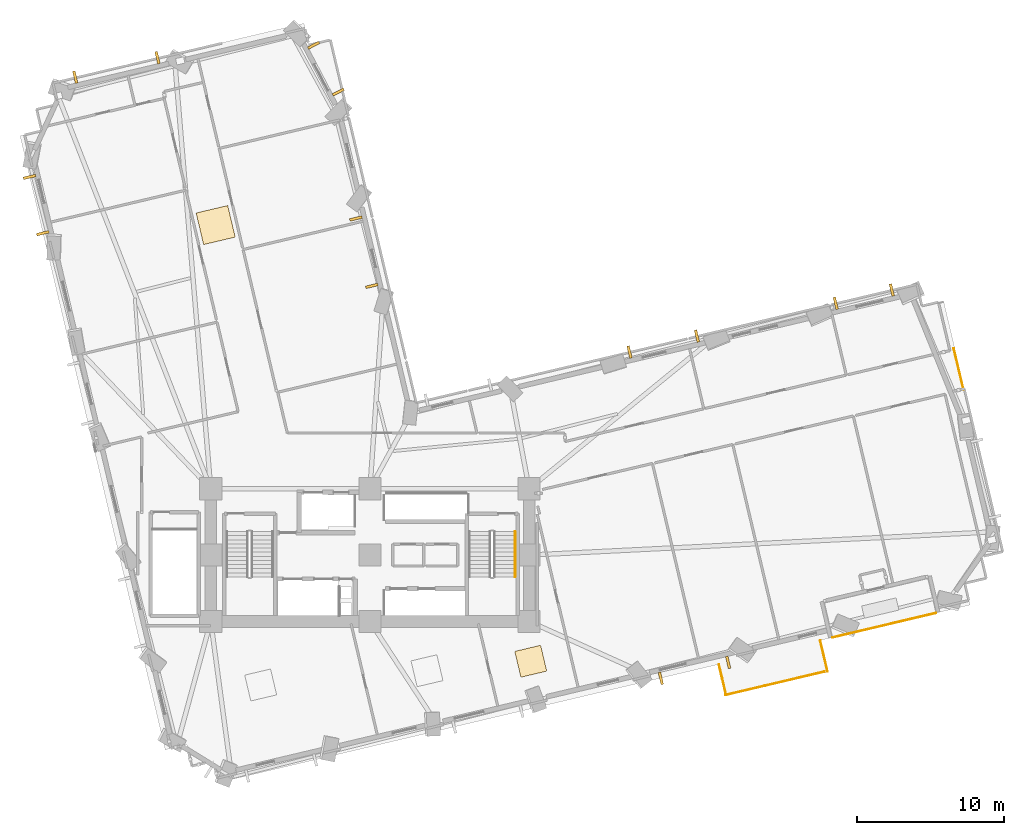
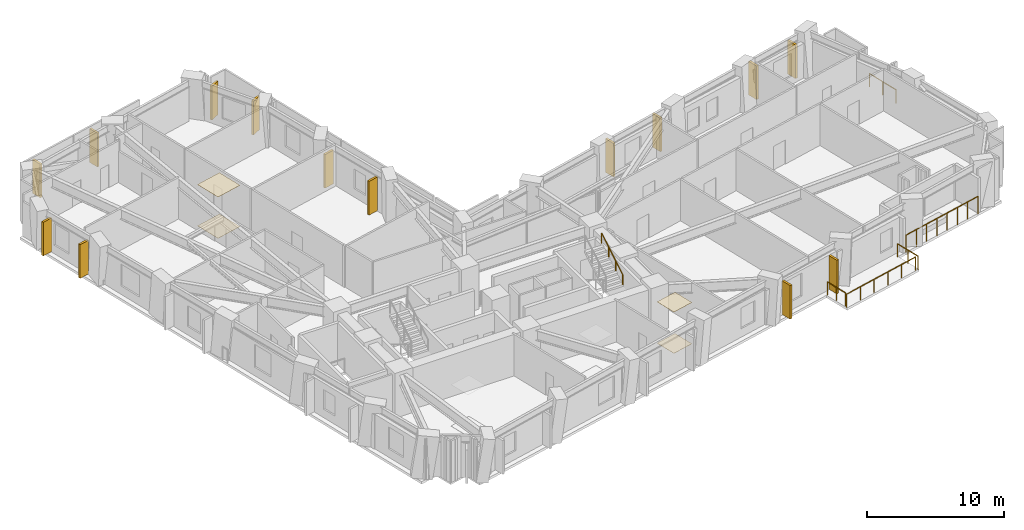
# One storey, part 13 of 14: 14 shading devices, 6 railings, 4 coverings.
"""IFC4 building model written with IfcOpenShell, lengths in metres."""

import ifcopenshell
import ifcopenshell.guid

model = None  # the IFC model being written
_history = None  # IfcOwnerHistory: only IFC2X3 demands one
_inside = {}  # id of a spatial element -> (the spatial element, [elements in it])
_under = {}  # id of a project, library or spatial element -> (it, [spatial elements below it])
_declared = {}  # id of a project -> (the project, [libraries it declares])
_typed = {}  # id of a type object -> (the type object, [elements of that type])
_made_of = {}  # id of a material, layer set ... -> (it, [elements and type objects made of it])


def new_model(schema):
    """Start an empty IFC model of exactly this schema.

    Asked for "IFC4X3", IfcOpenShell would pick the latest addendum, in which some entities
    have other attributes; the version numbers below select the first issue.
    IFC2X3 requires an IfcOwnerHistory on every rooted entity: one is made here for all.
    """
    global model, _history
    if schema == "IFC4X3":
        model = ifcopenshell.file(schema_version=(4, 3, 0, 0))
    else:
        model = ifcopenshell.file(schema=schema)
    _inside.clear()
    _under.clear()
    _declared.clear()
    _typed.clear()
    _made_of.clear()
    _history = None
    if model.schema == "IFC2X3":
        org = make("IfcOrganization", Name="unknown")
        user = make(
            "IfcPersonAndOrganization",
            ThePerson=make("IfcPerson", FamilyName="unknown"),
            TheOrganization=org,
        )
        app = make(
            "IfcApplication",
            ApplicationDeveloper=org,
            Version="unknown",
            ApplicationFullName="unknown",
            ApplicationIdentifier="unknown",
        )
        _history = make(
            "IfcOwnerHistory",
            OwningUser=user,
            OwningApplication=app,
            ChangeAction="ADDED",
            CreationDate=0,
        )
    return model


def make(cls, **values):
    """One entity of the class cls with the attributes given. An attribute that is None is left unset."""
    return model.create_entity(
        cls, **{name: value for name, value in values.items() if value is not None}
    )


def rooted(cls, **values):
    """An entity with a GlobalId (a new one), such as an element, a storey or a relation."""
    return make(cls, GlobalId=ifcopenshell.guid.new(), OwnerHistory=_history, **values)


def si_unit(unit_type, name, prefix=None):
    """IfcSIUnit, for example si_unit("LENGTHUNIT", "METRE", prefix="MILLI")."""
    return make("IfcSIUnit", UnitType=unit_type, Prefix=prefix, Name=name)


def assignment(units):
    """IfcUnitAssignment: the units of a project."""
    return None if units is None else make("IfcUnitAssignment", Units=units)


def point(xyz):
    """IfcCartesianPoint."""
    return None if xyz is None else make("IfcCartesianPoint", Coordinates=xyz)


def direction(xyz):
    """IfcDirection."""
    return None if xyz is None else make("IfcDirection", DirectionRatios=xyz)


def frame(location, z_axis=None, x_axis=None):
    """IfcAxis2Placement3D, a coordinate frame: its origin and axes. An axis left out is left unset."""
    return make(
        "IfcAxis2Placement3D",
        Location=point(location),
        Axis=direction(z_axis),
        RefDirection=direction(x_axis),
    )


def frame_2d(location, x_axis=None):
    """IfcAxis2Placement2D, a coordinate frame in the plane: its origin and x axis."""
    return make(
        "IfcAxis2Placement2D", Location=point(location), RefDirection=direction(x_axis)
    )


def origin():
    """The frame at (0, 0, 0) with its axes left unset."""
    return frame((0.0, 0.0, 0.0))


def origin_2d():
    """The frame at (0, 0) in the plane with its x axis left unset."""
    return frame_2d((0.0, 0.0))


def place(relative_to, where):
    """IfcLocalPlacement: puts the frame where relative to a parent placement (None: the world)."""
    return make(
        "IfcLocalPlacement", PlacementRelTo=relative_to, RelativePlacement=where
    )


def context(
    kind, dimensions, precision=None, world=None, true_north=None, identifier=None
):
    """IfcGeometricRepresentationContext, for example the 3D "Model" context."""
    return make(
        "IfcGeometricRepresentationContext",
        ContextIdentifier=identifier,
        ContextType=kind,
        CoordinateSpaceDimension=dimensions,
        Precision=precision,
        WorldCoordinateSystem=world,
        TrueNorth=true_north,
    )


def subcontext(parent, identifier, kind, view, scale=None):
    """IfcGeometricRepresentationSubContext, for example "Body" below "Model"."""
    return make(
        "IfcGeometricRepresentationSubContext",
        ContextIdentifier=identifier,
        ContextType=kind,
        ParentContext=parent,
        TargetScale=scale,
        TargetView=view,
    )


def project(units=None, contexts=None):
    """IfcProject with its units and contexts."""
    return rooted(
        "IfcProject",
        Name="project",
        RepresentationContexts=contexts,
        UnitsInContext=assignment(units),
    )


def spatial(cls, under=None, at=None, **own):
    """A site, building, storey or space (cls), placed at a placement, below another one or the project."""
    s = rooted(cls, ObjectPlacement=at, **own)
    if under is not None:
        _under.setdefault(under.id(), (under, []))[1].append(s)
    return s


def profile(cls, at=None, kind="AREA", **sizes):
    """A parametric profile (cls). Its sizes go by their IFC names, for example OverallWidth=200.0."""
    return make(cls, ProfileType=kind, Position=at, **sizes)


def rectangle(**sizes):
    """IfcRectangleProfileDef."""
    return profile("IfcRectangleProfileDef", **sizes)


def circle(**sizes):
    """IfcCircleProfileDef."""
    return profile("IfcCircleProfileDef", **sizes)


def extrude(swept, where, along, depth):
    """IfcExtrudedAreaSolid: the profile swept, set in the frame where, extruded along a direction by depth."""
    return make(
        "IfcExtrudedAreaSolid",
        SweptArea=swept,
        Position=where,
        ExtrudedDirection=direction(along),
        Depth=depth,
    )


def shape(context_of_items, identifier, shape_type, items):
    """IfcShapeRepresentation: the items that make up one representation, for example the "Body"."""
    return make(
        "IfcShapeRepresentation",
        ContextOfItems=context_of_items,
        RepresentationIdentifier=identifier,
        RepresentationType=shape_type,
        Items=items,
    )


def material(Name=None, Category=None):
    """IfcMaterial."""
    return make("IfcMaterial", Name=Name, Category=Category)


def layer(
    of_material, thickness, ventilated=None, Name=None, Category=None, Priority=None
):
    """IfcMaterialLayer: one layer of a wall or slab, of a material (None: an air gap)."""
    return make(
        "IfcMaterialLayer",
        Material=of_material,
        LayerThickness=thickness,
        IsVentilated=ventilated,
        Name=Name,
        Category=Category,
        Priority=Priority,
    )


def layer_set(layers, Name=None):
    """IfcMaterialLayerSet."""
    return make("IfcMaterialLayerSet", MaterialLayers=layers, LayerSetName=Name)


def made_of(thing, what):
    """Note that an element or type object is made of a material, layer set ...; save() writes the relation."""
    if what is not None:
        _made_of.setdefault(what.id(), (what, []))[1].append(thing)
    return thing


def type_object(cls, material=None, **own):
    """A type object (cls), such as IfcWallType, which elements share."""
    return made_of(rooted(cls, **own), material)


def element(
    cls,
    number,
    at=None,
    inside=None,
    cuts=None,
    type_object=None,
    material=None,
    context=None,
    identifier="Body",
    shape_type=None,
    held_by="IfcProductDefinitionShape",
    body=None,
    shapes=None,
    **own,
):
    """One element of the class cls, such as IfcWall. Its Tag is "e" and its number.

    at: its placement. inside: the storey or other place that contains it. cuts: it is an
    opening in that element (IfcRelVoidsElement). A single representation is given by context,
    identifier, shape_type and body (its items); several are given by shapes. held_by: the class
    of the entity that holds the representations. save() writes the other relations.
    """
    e = rooted(cls, Tag="e%d" % number, ObjectPlacement=at, **own)
    if body is not None:
        shapes = [shape(context, identifier, shape_type, body)]
    if shapes is not None:
        e.Representation = make(held_by, Representations=shapes)
    if inside is not None:
        _inside.setdefault(inside.id(), (inside, []))[1].append(e)
    if cuts is not None:
        rooted(
            "IfcRelVoidsElement", RelatingBuildingElement=cuts, RelatedOpeningElement=e
        )
    if type_object is not None:
        _typed.setdefault(type_object.id(), (type_object, []))[1].append(e)
    return made_of(e, material)


def aggregate(whole, parts):
    """IfcRelAggregates: a whole, such as a stair, and the parts it consists of."""
    return rooted("IfcRelAggregates", RelatingObject=whole, RelatedObjects=parts)


def save(model, path):
    """Write the relations noted so far, then the file.

    IfcRelAggregates (storeys below a building ...), IfcRelContainedInSpatialStructure (elements
    in a storey), IfcRelDefinesByType, IfcRelAssociatesMaterial and IfcRelDeclares: one each for
    every whole, place, type object, material and project.
    """
    for whole, parts in _under.values():
        aggregate(whole, parts)
    for where, things in _inside.values():
        rooted(
            "IfcRelContainedInSpatialStructure",
            RelatedElements=things,
            RelatingStructure=where,
        )
    for kind, things in _typed.values():
        rooted("IfcRelDefinesByType", RelatedObjects=things, RelatingType=kind)
    for what, things in _made_of.values():
        rooted("IfcRelAssociatesMaterial", RelatedObjects=things, RelatingMaterial=what)
    for by, libraries in _declared.values():
        rooted("IfcRelDeclares", RelatingContext=by, RelatedDefinitions=libraries)
    model.write(path)


model = new_model("IFC4")

# Units and contexts
model_context = context("Model", 3, precision=1e-05, world=origin(), true_north=direction((0.0, 1.0)))
body_context = subcontext(model_context, "Body", "Model", "MODEL_VIEW")
ifc_project = project(units=[si_unit("LENGTHUNIT", "METRE"), si_unit("AREAUNIT", "SQUARE_METRE"), si_unit("VOLUMEUNIT", "CUBIC_METRE"), si_unit("PLANEANGLEUNIT", "RADIAN"), si_unit("MASSUNIT", "GRAM", prefix="KILO")], contexts=[model_context])

# Site, building, storey
site_placement = place(None, origin())
site = spatial("IfcSite", under=ifc_project, at=site_placement, CompositionType="ELEMENT")
building_placement = place(site_placement, origin())
building = spatial("IfcBuilding", under=site, at=building_placement, Name="Gaonmaruhae Medical Tower", CompositionType="ELEMENT")
storey_placement = place(building_placement, frame((0.0, 0.0, 79.0)))
storey = spatial("IfcBuildingStorey", under=building, at=storey_placement, Name="L18", CompositionType="ELEMENT", Elevation=79.0)

# Coverings
ifc_material_1 = material(Name="Acoustic mineral ceiling tile", Category="finish")
ifc_layer_1 = layer(ifc_material_1, 0.02490234375)
ifc_layer_set_1 = layer_set([ifc_layer_1], Name="Acoustic mineral ceiling tile")
covering_type_1 = type_object("IfcCoveringType", Name="CLG-01 Antimicrobial Acoustic Mineral Ceiling", PredefinedType="CEILING", material=ifc_layer_set_1)
covering_1_placement = place(storey_placement, frame((14.333251953125, 34.68896484375, 3.675048828125), z_axis=(0.0, 0.0, 1.0), x_axis=(0.973178872777, 0.230049737188, 0.0)))
element("IfcCovering", 1, at=covering_1_placement, inside=storey, type_object=covering_type_1, Name="L18 Clinical Corridor Acoustic Ceiling", PredefinedType="CEILING", context=body_context, shape_type="SweptSolid", body=[
    extrude(rectangle(XDim=2.199951171875, YDim=2.199951171875, at=origin_2d()), origin(), (0.0, 0.0, 1.0), 0.02490234375),
])
covering_2_placement = place(storey_placement, frame((35.708984375, 5.097900390625, 3.675048828125), z_axis=(0.0, 0.0, 1.0), x_axis=(0.973178872777, 0.230049737188, 0.0)))
element("IfcCovering", 2, at=covering_2_placement, inside=storey, type_object=covering_type_1, Name="L18 Clinical Room Acoustic Ceiling 4", PredefinedType="CEILING", context=body_context, shape_type="SweptSolid", body=[
    extrude(rectangle(XDim=1.800048828125, YDim=1.800048828125, at=origin_2d()), origin(), (0.0, 0.0, 1.0), 0.02490234375),
])
ifc_material_2 = material(Name="Seamless clinical vinyl flooring", Category="finish")
ifc_layer_2 = layer(ifc_material_2, 0.014892578125)
ifc_layer_set_2 = layer_set([ifc_layer_2], Name="Seamless clinical vinyl flooring")
covering_type_2 = type_object("IfcCoveringType", Name="FLR-01 Seamless Clinical Antistatic Vinyl Flooring", PredefinedType="FLOORING", material=ifc_layer_set_2)
covering_3_placement = place(storey_placement, frame((14.333251953125, 34.68896484375, 0.00048828125), z_axis=(0.0, 0.0, 1.0), x_axis=(0.973178872777, 0.230049737188, 0.0)))
element("IfcCovering", 3, at=covering_3_placement, inside=storey, type_object=covering_type_2, Name="L18 Clinical Corridor Vinyl Flooring", PredefinedType="FLOORING", context=body_context, shape_type="SweptSolid", body=[
    extrude(rectangle(XDim=2.199951171875, YDim=2.199951171875, at=origin_2d()), origin(), (0.0, 0.0, 1.0), 0.014892578125),
])
covering_4_placement = place(storey_placement, frame((35.708984375, 5.097900390625, 0.0), z_axis=(0.0, 0.0, 1.0), x_axis=(0.973178872777, 0.230049737188, 0.0)))
element("IfcCovering", 4, at=covering_4_placement, inside=storey, type_object=covering_type_2, Name="L18 Clinical Room Vinyl Flooring 4", PredefinedType="FLOORING", context=body_context, shape_type="SweptSolid", body=[
    extrude(rectangle(XDim=1.800048828125, YDim=1.800048828125, at=origin_2d()), origin(), (0.0, 0.0, 1.0), 0.014892578125),
])

# Railings
ifc_material_3 = material(Name="Stainless steel 316L and laminated safety glass", Category="steel")
ifc_layer_3 = layer(ifc_material_3, 0.080078125)
ifc_layer_set_3 = layer_set([ifc_layer_3], Name="Stainless steel 316L and laminated safety glass")
railing_type_1 = type_object("IfcRailingType", Name="GD-120 Outdoor Terrace Safety Glass & Steel Balustrade", PredefinedType="BALUSTRADE", material=ifc_layer_set_3)
railing_1_placement = place(storey_placement, frame((64.40771484375, 26.315185546875, 0.0)))
element("IfcRailing", 5, at=railing_1_placement, inside=storey, type_object=railing_type_1, Name="L18 Perimeter Slab Edge Safety Balustrade 03", PredefinedType="BALUSTRADE", context=body_context, shape_type="SweptSolid", body=[
    extrude(circle(Radius=0.02392578125, at=origin_2d()), frame((0.0, 0.0, 1.17578125), z_axis=(0.23006988458, -0.973174109915, 0.0), x_axis=(0.973174109915, 0.23006988458, 0.0)), (0.0, 0.0, 1.0), 2.838623046875),
    extrude(circle(Radius=0.02099609375, at=origin_2d()), origin(), (0.0, 0.0, 1.0), 1.15185546875),
    extrude(circle(Radius=0.02099609375, at=origin_2d()), frame((0.32666015625, -1.38134765625, 0.0)), (0.0, 0.0, 1.0), 1.15185546875),
    extrude(circle(Radius=0.02099609375, at=origin_2d()), frame((0.653076171875, -2.762451171875, 0.0)), (0.0, 0.0, 1.0), 1.15185546875),
])
railing_2_placement = place(storey_placement, frame((55.35009765625, 6.492431640625, 0.0)))
element("IfcRailing", 6, at=railing_2_placement, inside=storey, type_object=railing_type_1, Name="L18 Perimeter Slab Edge Safety Balustrade 04", PredefinedType="BALUSTRADE", context=body_context, shape_type="SweptSolid", body=[
    extrude(circle(Radius=0.02392578125, at=origin_2d()), frame((0.0, 0.0, 1.17578125), z_axis=(0.230015722169, -0.973186912959, 0.0), x_axis=(0.973186912959, 0.230015722169, 0.0)), (0.0, 0.0, 1.0), 2.159912109375),
    extrude(circle(Radius=0.02099609375, at=origin_2d()), origin(), (0.0, 0.0, 1.0), 1.15185546875),
    extrude(circle(Radius=0.02099609375, at=origin_2d()), frame((0.24853515625, -1.051025390625, 0.0)), (0.0, 0.0, 1.0), 1.15185546875),
    extrude(circle(Radius=0.02099609375, at=origin_2d()), frame((0.496826171875, -2.10205078125, 0.0)), (0.0, 0.0, 1.0), 1.15185546875),
])
railing_3_placement = place(storey_placement, frame((55.631103515625, 4.390869140625, 0.0)))
element("IfcRailing", 7, at=railing_3_placement, inside=storey, type_object=railing_type_1, Name="L18 Perimeter Slab Edge Safety Balustrade 05", PredefinedType="BALUSTRADE", context=body_context, shape_type="SweptSolid", body=[
    extrude(circle(Radius=0.02392578125, at=origin_2d()), frame((0.0, 0.0, 1.17578125), z_axis=(-0.973178131993, -0.230052870904, 0.0), x_axis=(0.230052870904, -0.973178131993, 0.0)), (0.0, 0.0, 1.0), 6.900146484375),
    extrude(circle(Radius=0.02099609375, at=origin_2d()), origin(), (0.0, 0.0, 1.0), 1.15185546875),
    extrude(circle(Radius=0.02099609375, at=origin_2d()), frame((-1.343017578125, -0.3173828125, 0.0)), (0.0, 0.0, 1.0), 1.15185546875),
    extrude(circle(Radius=0.02099609375, at=origin_2d()), frame((-2.68603515625, -0.635009765625, 0.0)), (0.0, 0.0, 1.0), 1.15185546875),
    extrude(circle(Radius=0.02099609375, at=origin_2d()), frame((-4.029052734375, -0.952392578125, 0.0)), (0.0, 0.0, 1.0), 1.15185546875),
    extrude(circle(Radius=0.02099609375, at=origin_2d()), frame((-5.3720703125, -1.27001953125, 0.0)), (0.0, 0.0, 1.0), 1.15185546875),
    extrude(circle(Radius=0.02099609375, at=origin_2d()), frame((-6.715087890625, -1.58740234375, 0.0)), (0.0, 0.0, 1.0), 1.15185546875),
])
railing_4_placement = place(storey_placement, frame((48.92138671875, 2.998291015625, 0.0)))
element("IfcRailing", 8, at=railing_4_placement, inside=storey, type_object=railing_type_1, Name="L18 Perimeter Slab Edge Safety Balustrade 06", PredefinedType="BALUSTRADE", context=body_context, shape_type="SweptSolid", body=[
    extrude(circle(Radius=0.02392578125, at=origin_2d()), frame((0.0, 0.0, 1.17578125), z_axis=(-0.230080146155, 0.9731716839, 0.0), x_axis=(-0.9731716839, -0.230080146155, 0.0)), (0.0, 0.0, 1.0), 1.921630859375),
    extrude(circle(Radius=0.02099609375, at=origin_2d()), origin(), (0.0, 0.0, 1.0), 1.15185546875),
    extrude(circle(Radius=0.02099609375, at=origin_2d()), frame((-0.22119140625, 0.93505859375, 0.0)), (0.0, 0.0, 1.0), 1.15185546875),
    extrude(circle(Radius=0.02099609375, at=origin_2d()), frame((-0.442138671875, 1.8701171875, 0.0)), (0.0, 0.0, 1.0), 1.15185546875),
])
ifc_layer_4 = layer(ifc_material_3, 0.080078125)
ifc_layer_set_4 = layer_set([ifc_layer_4], Name="Stainless steel 316L and laminated safety glass")
railing_type_2 = type_object("IfcRailingType", Name="GD-155 Planter-Edge Raised Safety Balustrade", PredefinedType="BALUSTRADE", material=ifc_layer_set_4)
railing_5_placement = place(storey_placement, frame((56.19189453125, 6.712158203125, 0.0)))
element("IfcRailing", 9, at=railing_5_placement, inside=storey, type_object=railing_type_2, Name="L18 Terrace Safety Guard RL-SLB-L18-TER-01", PredefinedType="BALUSTRADE", context=body_context, shape_type="SweptSolid", body=[
    extrude(circle(Radius=0.02392578125, at=origin_2d()), frame((0.0, 0.0, 1.52587890625), z_axis=(0.973183646707, 0.230029541105, 0.0), x_axis=(-0.230029541105, 0.973183646707, 0.0)), (0.0, 0.0, 1.0), 7.2001953125),
    extrude(circle(Radius=0.02099609375, at=origin_2d()), origin(), (0.0, 0.0, 1.0), 1.501953125),
    extrude(circle(Radius=0.02099609375, at=origin_2d()), frame((1.0009765625, 0.236572265625, 0.0)), (0.0, 0.0, 1.0), 1.501953125),
    extrude(circle(Radius=0.02099609375, at=origin_2d()), frame((2.001953125, 0.47314453125, 0.0)), (0.0, 0.0, 1.0), 1.501953125),
    extrude(circle(Radius=0.02099609375, at=origin_2d()), frame((3.0029296875, 0.709716796875, 0.0)), (0.0, 0.0, 1.0), 1.501953125),
    extrude(circle(Radius=0.02099609375, at=origin_2d()), frame((4.004150390625, 0.946533203125, 0.0)), (0.0, 0.0, 1.0), 1.501953125),
    extrude(circle(Radius=0.02099609375, at=origin_2d()), frame((5.005126953125, 1.18310546875, 0.0)), (0.0, 0.0, 1.0), 1.501953125),
    extrude(circle(Radius=0.02099609375, at=origin_2d()), frame((6.006103515625, 1.419677734375, 0.0)), (0.0, 0.0, 1.0), 1.501953125),
    extrude(circle(Radius=0.02099609375, at=origin_2d()), frame((7.007080078125, 1.65625, 0.0)), (0.0, 0.0, 1.0), 1.501953125),
])
ifc_material_4 = material(Name="Stainless steel 304 handrail", Category="steel")
railing_type_3 = type_object("IfcRailingType", Name="HR-092 Continuous Stainless Steel Stair Handrail", PredefinedType="HANDRAIL", material=ifc_material_4)
railing_6_placement = place(storey_placement, frame((34.64990234375, 10.820068359375, 2.166748046875)))
element("IfcRailing", 10, at=railing_6_placement, inside=storey, type_object=railing_type_3, Name="L18 ST-02 stair handrail 2", PredefinedType="HANDRAIL", context=body_context, shape_type="SweptSolid", body=[
    extrude(circle(Radius=0.02392578125, at=origin_2d()), frame((0.0, 0.0, 0.8759765625), z_axis=(0.0, 0.859290745958, 0.51148745235), x_axis=(-1.0, 0.0, 0.0)), (0.0, 0.0, 1.0), 3.584228515625),
    extrude(circle(Radius=0.02099609375, at=origin_2d()), origin(), (0.0, 0.0, 1.0), 0.851806640625),
    extrude(circle(Radius=0.02099609375, at=origin_2d()), frame((0.0, 1.026611328125, 0.611083984375)), (0.0, 0.0, 1.0), 0.851806640625),
    extrude(circle(Radius=0.02099609375, at=origin_2d()), frame((0.0, 2.05322265625, 1.22216796875)), (0.0, 0.0, 1.0), 0.851806640625),
    extrude(circle(Radius=0.02099609375, at=origin_2d()), frame((0.0, 3.079833984375, 1.833251953125)), (0.0, 0.0, 1.0), 0.851806640625),
])

# Shading devices
ifc_material_5 = material(Name="Pigmented coral precast concrete C45/55", Category="concrete")
shading_device_type = type_object("IfcShadingDeviceType", Name="SD-FIN1 Tower Vertical Coral Precast Shading Fin", PredefinedType="USERDEFINED", material=ifc_material_5)
for number, where, z_axis, x_axis, name in (
    (11, (49.099609375, 5.020263671875, 0.04248046875), (0.0, 0.0, 1.0), (-0.973178872777, -0.230049737188, 0.0), "L18 Vertical Coral Precast Shading Fin S05"),
    (12, (44.53271484375, 3.940673828125, 0.04248046875), (0.0, 0.0, 1.0), (-0.973178872777, -0.230049737188, 0.0), "L18 Vertical Coral Precast Shading Fin S05B"),
    (13, (56.396728515625, 29.38232421875, 0.04248046875), (0.0, 0.0, 1.0), (0.973178872777, 0.230049737188, 0.0), "L18 Vertical Coral Precast Shading Fin E03"),
    (14, (60.201171875, 30.281494140625, 0.04248046875), (0.0, 0.0, 1.0), (0.973178872777, 0.230049737188, 0.0), "L18 Vertical Coral Precast Shading Fin E03B"),
    (15, (42.408203125, 26.075439453125, 0.04248046875), (0.0, 0.0, 1.0), (0.973178872777, 0.230049737188, 0.0), "L18 Vertical Coral Precast Shading Fin EN02"),
    (16, (46.981689453125, 27.156494140625, 0.04248046875), (0.0, 0.0, 1.0), (0.973178872777, 0.230049737188, 0.0), "L18 Vertical Coral Precast Shading Fin EN02B"),
    (17, (24.92724609375, 30.560302734375, 0.04248046875), (0.0, 0.0, 1.0), (-0.230049737188, 0.973178872777, 0.0), "L18 Vertical Coral Precast Shading Fin NE01"),
    (18, (23.8466796875, 35.130859375, 0.04248046875), (0.0, 0.0, 1.0), (-0.230049737188, 0.973178872777, 0.0), "L18 Vertical Coral Precast Shading Fin NE01B"),
    (19, (20.983154296875, 46.888427734375, 0.04248046875), (0.0, 0.0, 1.0), (0.464548412526, -0.885547724529, 0.0), "L18 Vertical Coral Precast Shading Fin NE03"),
    (20, (22.650390625, 43.710205078125, 0.04248046875), (0.0, 0.0, 1.0), (0.464548412526, -0.885547724529, 0.0), "L18 Vertical Coral Precast Shading Fin NE03B"),
    (21, (4.806884765625, 44.7255859375, 0.04248046875), (0.0, 0.0, 1.0), (0.973178872777, 0.230049737188, 0.0), "L18 Vertical Coral Precast Shading Fin N02"),
    (22, (10.387939453125, 46.044921875, 0.04248046875), (0.0, 0.0, 1.0), (0.973178872777, 0.230049737188, 0.0), "L18 Vertical Coral Precast Shading Fin N02B"),
    (23, (2.605712890625, 34.13671875, 0.04248046875), (0.0, 0.0, 1.0), (-0.230066722329, 0.973174857504, 0.0), "L18 Vertical Coral Precast Shading Fin W01"),
    (24, (1.703369140625, 37.95458984375, 0.04248046875), (0.0, 0.0, 1.0), (-0.230066722329, 0.973174857504, 0.0), "L18 Vertical Coral Precast Shading Fin W01B"),
):
    element("IfcShadingDevice", number, at=place(storey_placement, frame(where, z_axis=z_axis, x_axis=x_axis)), inside=storey, type_object=shading_device_type, Name=name, ObjectType="FIN", PredefinedType="USERDEFINED", context=body_context, shape_type="SweptSolid", body=[
        extrude(rectangle(XDim=0.179931640625, YDim=0.85009765625, at=origin_2d()), origin(), (0.0, 0.0, 1.0), 3.0),
    ])

save(model, "model.ifc")
